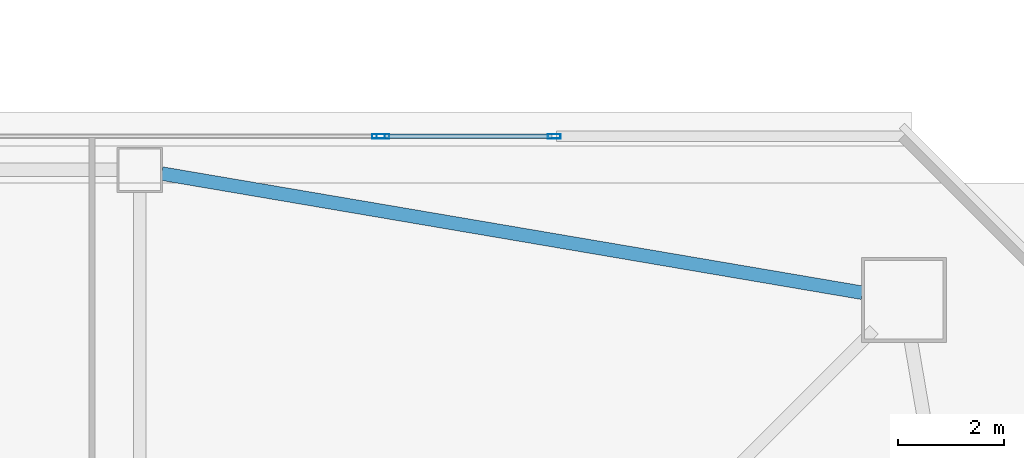
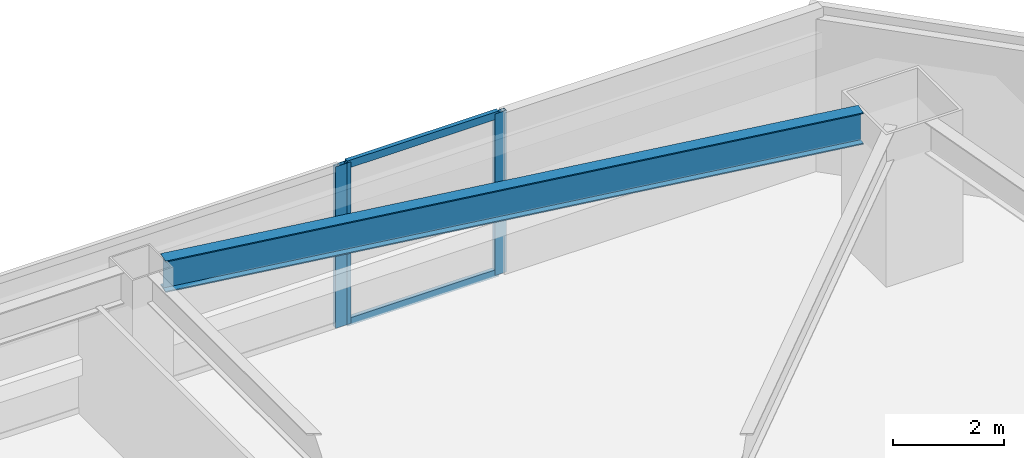
# One storey, part 18 of 46: 5 members, 1 beam, 2 elements without a shape of their own.
"""IFC4 building model written with IfcOpenShell, lengths in metres."""

from ifc_helpers import new_model, si_unit, direction, frame, origin, origin_2d, place, context, subcontext, project, spatial, hollow_rectangle, i_section, extrude, material, material_profile, profile_set, type_object, element, aggregate, save


model = new_model("IFC4")

# Units and contexts
model_context = context("Model", 3, precision=1e-05, world=origin(), true_north=direction((0.0, 1.0)))
body_context = subcontext(model_context, "Body", "Model", "MODEL_VIEW")
ifc_project = project(units=[si_unit("LENGTHUNIT", "METRE"), si_unit("AREAUNIT", "SQUARE_METRE"), si_unit("VOLUMEUNIT", "CUBIC_METRE"), si_unit("PLANEANGLEUNIT", "RADIAN"), si_unit("MASSUNIT", "GRAM", prefix="KILO")], contexts=[model_context])

# Site, building, storey
site_placement = place(None, origin())
site = spatial("IfcSite", under=ifc_project, at=site_placement, CompositionType="ELEMENT")
building_placement = place(site_placement, origin())
building = spatial("IfcBuilding", under=site, at=building_placement, Name="Tashvorn Skyway Center", CompositionType="ELEMENT")
storey_placement = place(building_placement, frame((0.0, 0.0, 60.10009765625)))
storey = spatial("IfcBuildingStorey", under=building, at=storey_placement, Name="L15", CompositionType="ELEMENT", Elevation=60.10009765625)

# Beam
ifc_material_1 = material(Name="Steel ASTM A992 Grade 50", Category="steel")
ifc_material_profile_1 = material_profile(ifc_material_1, i_section(OverallWidth=0.256103515625, OverallDepth=0.693115234375, WebThickness=0.014404296875, FlangeThickness=0.023681640625, at=origin_2d()), Name="W27X114")
ifc_profile_set_1 = profile_set([ifc_material_profile_1], Name="Steel ASTM A992 Grade 50")
beam_type = type_object("IfcBeamType", Name="BM-SPANDREL-W27X114", PredefinedType="SPANDREL", material=ifc_profile_set_1)
beam_placement = place(storey_placement, frame((61.016357421875, 51.933349609375, 3.00341796875), z_axis=(-0.985835025551, 0.16771792509, 0.0), x_axis=(-0.16771792509, -0.985835025551, 0.0)))
element("IfcBeam", 1, at=beam_placement, inside=storey, type_object=beam_type, Name="Tower 1 L15 Spandrel Beam 07", PredefinedType="SPANDREL", context=body_context, shape_type="SweptSolid", body=[
    extrude(i_section(OverallWidth=0.256103515625, OverallDepth=0.693115234375, WebThickness=0.014404296875, FlangeThickness=0.023681640625, at=origin_2d()), origin(), (0.0, 0.0, 1.0), 13.39208984375),
])

# Curtain wall, member
ifc_material_2 = material(Name="Thermally broken bronze-anodized aluminium 6063-T6", Category="aluminium")
curtain_wall_type = type_object("IfcCurtainWallType", Name="CW-CW-Z1", PredefinedType="NOTDEFINED", material=ifc_material_2)
curtain_wall_1_placement = place(storey_placement, origin())
curtain_wall_1 = element("IfcCurtainWall", 2, at=curtain_wall_1_placement, inside=storey, type_object=curtain_wall_type, Name="Tower 1 L15 North Unitised Curtain Wall Glazing Group 2", PredefinedType="NOTDEFINED")
ifc_material_profile_2 = material_profile(ifc_material_2, hollow_rectangle(XDim=0.0849609375, YDim=0.239990234375, WallThickness=0.0048828125, at=origin_2d()), Name="ALU-MULL-85x240")
ifc_profile_set_2 = profile_set([ifc_material_profile_2], Name="Thermally broken bronze-anodized aluminium 6063-T6")
member_type_1 = type_object("IfcMemberType", Name="CWM-CW-Z1", PredefinedType="MULLION", material=ifc_profile_set_2)
member_1_placement = place(storey_placement, frame((51.8974609375, 54.8798828125, 0.0), z_axis=(0.0, 0.0, 1.0), x_axis=(0.0, 1.0, 0.0)))
member_1 = element("IfcMember", 3, at=member_1_placement, type_object=member_type_1, Name="CW-Z1 mullion 3", PredefinedType="MULLION", context=body_context, shape_type="SweptSolid", body=[
    extrude(hollow_rectangle(XDim=0.0849609375, YDim=0.239990234375, WallThickness=0.0048828125, at=origin_2d()), origin(), (0.0, 0.0, 1.0), 3.5498046875),
])
aggregate(curtain_wall_1, [member_1])

# Curtain wall, members
curtain_wall_2_placement = place(storey_placement, origin())
curtain_wall_2 = element("IfcCurtainWall", 4, at=curtain_wall_2_placement, inside=storey, type_object=curtain_wall_type, Name="Tower 1 L15 North Unitised Curtain Wall Glazing Group 3", PredefinedType="NOTDEFINED")
member_2_placement = place(storey_placement, frame((51.982421875, 54.8798828125, 0.0), z_axis=(0.0, 0.0, 1.0), x_axis=(0.0, 1.0, 0.0)))
member_2 = element("IfcMember", 5, at=member_2_placement, type_object=member_type_1, Name="CW-Z1 mullion 1", PredefinedType="MULLION", context=body_context, shape_type="SweptSolid", body=[
    extrude(hollow_rectangle(XDim=0.0849609375, YDim=0.239990234375, WallThickness=0.0048828125, at=origin_2d()), origin(), (0.0, 0.0, 1.0), 3.5498046875),
])
member_3_placement = place(storey_placement, frame((55.210693359375, 54.8798828125, 0.0), z_axis=(0.0, 0.0, 1.0), x_axis=(0.0, 1.0, 0.0)))
member_3 = element("IfcMember", 6, at=member_3_placement, type_object=member_type_1, Name="CW-Z1 mullion 2", PredefinedType="MULLION", context=body_context, shape_type="SweptSolid", body=[
    extrude(hollow_rectangle(XDim=0.0849609375, YDim=0.239990234375, WallThickness=0.0048828125, at=origin_2d()), origin(), (0.0, 0.0, 1.0), 3.5498046875),
])
ifc_material_profile_3 = material_profile(ifc_material_2, hollow_rectangle(XDim=0.0849609375, YDim=0.1650390625, WallThickness=0.0048828125, at=origin_2d()), Name="ALU-TRAN-85x165")
ifc_profile_set_3 = profile_set([ifc_material_profile_3], Name="Thermally broken bronze-anodized aluminium 6063-T6")
member_type_2 = type_object("IfcMemberType", Name="CWT-CW-Z1", PredefinedType="USERDEFINED", material=ifc_profile_set_3)
member_4_placement = place(storey_placement, frame((52.02490234375, 54.8798828125, 0.04248046875), z_axis=(1.0, 0.0, 0.0), x_axis=(0.0, 1.0, 0.0)))
member_4 = element("IfcMember", 7, at=member_4_placement, type_object=member_type_2, Name="CW-Z1 transom 1.1", ObjectType="TRANSOM", PredefinedType="USERDEFINED", context=body_context, shape_type="SweptSolid", body=[
    extrude(hollow_rectangle(XDim=0.0849609375, YDim=0.1650390625, WallThickness=0.0048828125, at=origin_2d()), origin(), (0.0, 0.0, 1.0), 3.143310546875),
])
member_5_placement = place(storey_placement, frame((52.02490234375, 54.8798828125, 3.50732421875), z_axis=(1.0, 0.0, 0.0), x_axis=(0.0, 1.0, 0.0)))
member_5 = element("IfcMember", 8, at=member_5_placement, type_object=member_type_2, Name="CW-Z1 transom 1.2", ObjectType="TRANSOM", PredefinedType="USERDEFINED", context=body_context, shape_type="SweptSolid", body=[
    extrude(hollow_rectangle(XDim=0.0849609375, YDim=0.1650390625, WallThickness=0.0048828125, at=origin_2d()), origin(), (0.0, 0.0, 1.0), 3.143310546875),
])
aggregate(curtain_wall_2, [member_2, member_3, member_4, member_5])

save(model, "model.ifc")
